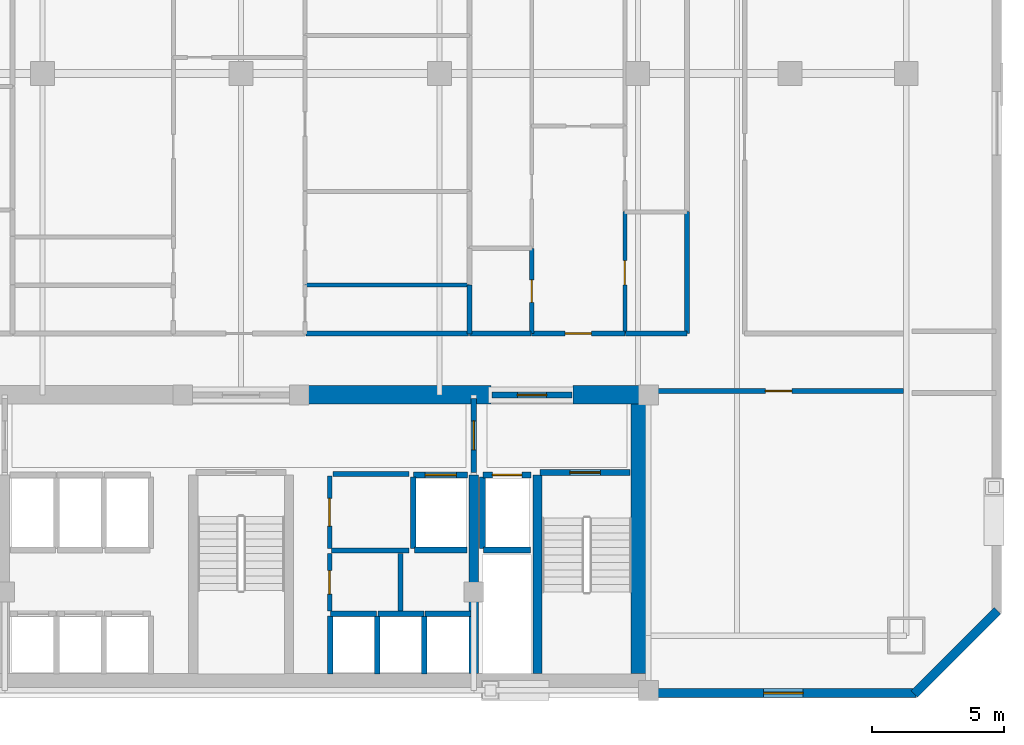
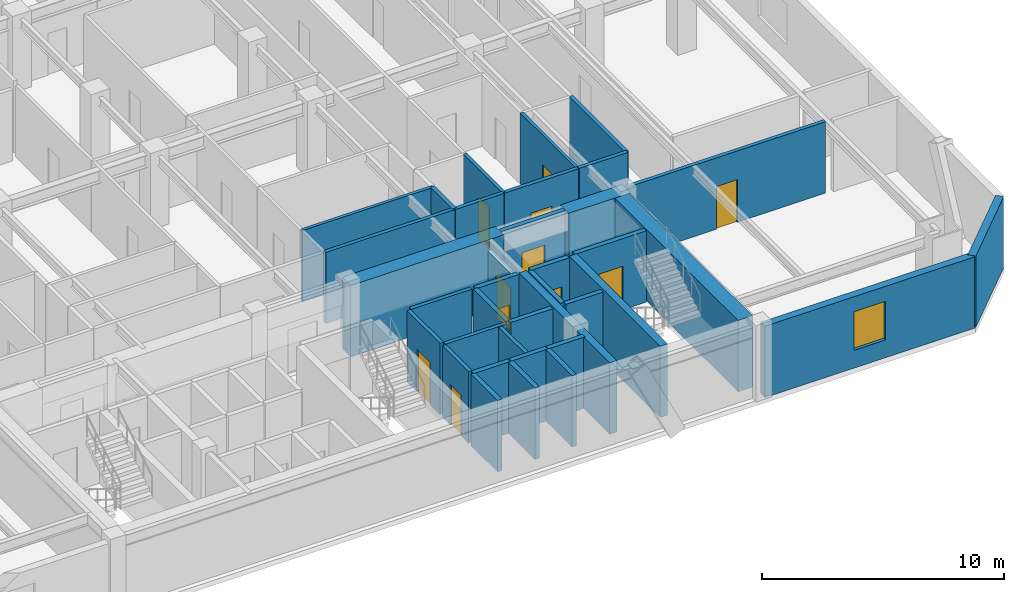
# One storey, part 5 of 9: 37 walls, 11 doors, 1 window, 12 openings.
"""IFC4 building model written with IfcOpenShell, lengths in metres."""

from ifc_helpers import new_model, si_unit, direction, frame, frame_2d, origin, place, context, subcontext, project, spatial, rectangle, extrude, material, layer, layer_set, type_object, element, fill, save


model = new_model("IFC4")

# Units and contexts
model_context = context("Model", 3, precision=1e-05, world=origin(), true_north=direction((0.0, 1.0)))
body_context = subcontext(model_context, "Body", "Model", "MODEL_VIEW")
ifc_project = project(units=[si_unit("LENGTHUNIT", "METRE"), si_unit("AREAUNIT", "SQUARE_METRE"), si_unit("VOLUMEUNIT", "CUBIC_METRE"), si_unit("PLANEANGLEUNIT", "RADIAN"), si_unit("MASSUNIT", "GRAM", prefix="KILO")], contexts=[model_context])

# Site, building, storey
site_placement = place(None, origin())
site = spatial("IfcSite", under=ifc_project, at=site_placement, CompositionType="ELEMENT")
building_placement = place(site_placement, origin())
building = spatial("IfcBuilding", under=site, at=building_placement, Name="Ventersveld Concourse Tower", CompositionType="ELEMENT")
storey_placement = place(building_placement, frame((0.0, 0.0, 68.300048828125)))
storey = spatial("IfcBuildingStorey", under=building, at=storey_placement, Name="L16", CompositionType="ELEMENT", Elevation=68.300048828125)

# Walls
ifc_material_1 = material(Name="Concrete C60/75", Category="concrete")
ifc_layer_1 = layer(ifc_material_1, 0.35009765625)
ifc_layer_set_1 = layer_set([ifc_layer_1], Name="Concrete C60/75")
wall_type_1 = type_object("IfcWallType", Name="WL-CORE-350L", PredefinedType="SHEAR", material=ifc_layer_set_1)
for number, where, z_axis, x_axis, name in (
    (1, (37.550048828125, 0.919921875, 0.0), (0.0, 0.0, 1.0), (0.0, 1.0, 0.0), "L16 Core Internal Shear Web W-SVL-W"),
    (2, (39.9599609375, 0.919921875, 0.0), (0.0, 0.0, 1.0), (0.0, 1.0, 0.0), "L16 Core Internal Shear Web W-ST2-W"),
):
    element("IfcWall", number, at=place(storey_placement, frame(where, z_axis=z_axis, x_axis=x_axis)), inside=storey, type_object=wall_type_1, Name=name, PredefinedType="SHEAR", context=body_context, shape_type="SweptSolid", body=[
        extrude(rectangle(XDim=7.5, YDim=0.35009765625, at=frame_2d((3.75, 0.0))), origin(), (0.0, 0.0, 1.0), 3.599853515625),
    ])
ifc_layer_2 = layer(ifc_material_1, 0.699951171875)
ifc_layer_set_2 = layer_set([ifc_layer_2], Name="Concrete C60/75")
wall_type_2 = type_object("IfcWallType", Name="WL-CORE-700", PredefinedType="SHEAR", material=ifc_layer_set_2)
wall_1_placement = place(storey_placement, frame((43.85009765625, 0.919921875, 0.0), z_axis=(0.0, 0.0, 1.0), x_axis=(0.0, 1.0, 0.0)))
element("IfcWall", 3, at=wall_1_placement, inside=storey, type_object=wall_type_2, Name="L16 Rear Core East Shear Wall", PredefinedType="SHEAR", context=body_context, shape_type="SweptSolid", body=[
    extrude(rectangle(XDim=10.530029296875, YDim=0.699951171875, at=frame_2d((5.26513671875, 0.0))), origin(), (0.0, 0.0, 1.0), 3.599853515625),
])
wall_2_placement = place(storey_placement, frame((30.89990234375, 11.449951171875, 0.0), z_axis=(0.0, 0.0, 1.0), x_axis=(1.0, 0.0, 0.0)))
element("IfcWall", 4, at=wall_2_placement, inside=storey, type_object=wall_type_2, Name="L16 Rear Core North Shear Wall NMR", PredefinedType="SHEAR", context=body_context, shape_type="SweptSolid", body=[
    extrude(rectangle(XDim=7.300048828125, YDim=0.699951171875, at=frame_2d((3.64990234375, 0.0))), origin(), (0.0, 0.0, 1.0), 3.599853515625),
])
wall_3_placement = place(storey_placement, frame((41.300048828125, 11.449951171875, 0.0), z_axis=(0.0, 0.0, 1.0), x_axis=(1.0, 0.0, 0.0)))
element("IfcWall", 5, at=wall_3_placement, inside=storey, type_object=wall_type_2, Name="L16 Rear Core North Shear Wall NE", PredefinedType="SHEAR", context=body_context, shape_type="SweptSolid", body=[
    extrude(rectangle(XDim=2.949951171875, YDim=0.699951171875, at=frame_2d((1.47509765625, 0.0))), origin(), (0.0, 0.0, 1.0), 3.599853515625),
])

# Wall, opening, door
ifc_material_2 = material(Name="Fire-rated autoclaved aerated masonry blockwork", Category="masonry")
ifc_layer_3 = layer(ifc_material_2, 0.179931640625)
ifc_layer_set_3 = layer_set([ifc_layer_3], Name="Fire-rated autoclaved aerated masonry blockwork")
wall_type_3 = type_object("IfcWallType", Name="WL-CORR-180", PredefinedType="PARTITIONING", material=ifc_layer_set_3)
wall_4_placement = place(storey_placement, frame((32.10009765625, 5.64990234375, 0.0), z_axis=(0.0, 0.0, 1.0), x_axis=(0.0, 1.0, 0.0)))
wall_4 = element("IfcWall", 6, at=wall_4_placement, inside=storey, type_object=wall_type_3, Name="L16 Core Passage Wall SP-L16-CBAY1", PredefinedType="PARTITIONING", context=body_context, shape_type="SweptSolid", body=[
    extrude(rectangle(XDim=2.72998046875, YDim=0.179931640625, at=frame_2d((1.364990234375, 0.0))), origin(), (0.0, 0.0, 1.0), 3.599853515625),
])
opening_1_placement = place(wall_4_placement, frame((0.840087890625, 0.0, 0.0)))
opening_1 = element("IfcOpeningElement", 7, at=opening_1_placement, cuts=wall_4, Name="Opening ID3", PredefinedType="OPENING", context=body_context, shape_type="SweptSolid", body=[
    extrude(rectangle(XDim=1.050048828125, YDim=2.14990234375, at=frame_2d((0.52490234375, 1.074951171875))), frame((0.0, 0.10009765625, 0.0), z_axis=(0.0, -1.0, 0.0), x_axis=(1.0, 0.0, 0.0)), (0.0, 0.0, 1.0), 0.199951171875),
])
ifc_material_3 = material(Name="Solid-core hardwood veneer timber", Category="wood")
door_type_1 = type_object("IfcDoorType", Name="DR-AWC-105", OperationType="NOTDEFINED", PredefinedType="DOOR", material=ifc_material_3)
door_1_placement = place(opening_1_placement, origin())
door_1 = element("IfcDoor", 8, at=door_1_placement, inside=storey, type_object=door_type_1, Name="L16 Core Room Door L16 Core Unisex Accessible WC (CD-L16-0723)", OperationType="SINGLE_SWING_RIGHT", OverallHeight=2.14990234375, OverallWidth=1.050048828125, PredefinedType="DOOR", context=body_context, shape_type="SweptSolid", body=[
    extrude(rectangle(XDim=1.050048828125, YDim=2.14990234375, at=frame_2d((0.52490234375, 1.074951171875))), frame((0.0, 0.02490234375, 0.0), z_axis=(0.0, -1.0, 0.0), x_axis=(1.0, 0.0, 0.0)), (0.0, 0.0, 1.0), 0.050048828125),
])
fill(opening_1, door_1)

# Walls
wall_5_placement = place(storey_placement, frame((32.219970703125, 8.4599609375, 0.0), z_axis=(0.0, 0.0, 1.0), x_axis=(1.0, 0.0, 0.0)))
element("IfcWall", 9, at=wall_5_placement, inside=storey, type_object=wall_type_3, Name="L16 Core Top Wall SP-L16-CBAY1", PredefinedType="PARTITIONING", context=body_context, shape_type="SweptSolid", body=[
    extrude(rectangle(XDim=2.880126953125, YDim=0.179931640625, at=frame_2d((1.43994140625, 0.0))), origin(), (0.0, 0.0, 1.0), 3.599853515625),
])
wall_6_placement = place(storey_placement, frame((32.179931640625, 5.570068359375, 0.0), z_axis=(0.0, 0.0, 1.0), x_axis=(1.0, 0.0, 0.0)))
element("IfcWall", 10, at=wall_6_placement, inside=storey, type_object=wall_type_3, Name="L16 Core Bot Wall SP-L16-CBAY1", PredefinedType="PARTITIONING", context=body_context, shape_type="SweptSolid", body=[
    extrude(rectangle(XDim=2.920166015625, YDim=0.179931640625, at=frame_2d((1.4599609375, 0.0))), origin(), (0.0, 0.0, 1.0), 3.599853515625),
])

# Wall, opening, door
wall_7_placement = place(storey_placement, frame((32.10009765625, 3.280029296875, 0.0), z_axis=(0.0, 0.0, 1.0), x_axis=(0.0, 1.0, 0.0)))
wall_7 = element("IfcWall", 11, at=wall_7_placement, inside=storey, type_object=wall_type_3, Name="L16 Core Passage Wall SP-L16-CBAY2", PredefinedType="PARTITIONING", context=body_context, shape_type="SweptSolid", body=[
    extrude(rectangle(XDim=2.169921875, YDim=0.179931640625, at=frame_2d((1.0849609375, 0.0))), origin(), (0.0, 0.0, 1.0), 3.599853515625),
])
opening_2_placement = place(wall_7_placement, frame((0.64501953125, 0.0, 0.0)))
opening_2 = element("IfcOpeningElement", 12, at=opening_2_placement, cuts=wall_7, Name="Opening FD5", PredefinedType="OPENING", context=body_context, shape_type="SweptSolid", body=[
    extrude(rectangle(XDim=0.8798828125, YDim=2.050048828125, at=frame_2d((0.43994140625, 1.02490234375))), frame((0.0, 0.10009765625, 0.0), z_axis=(0.0, -1.0, 0.0), x_axis=(1.0, 0.0, 0.0)), (0.0, 0.0, 1.0), 0.199951171875),
])
ifc_material_4 = material(Name="Galvanised painted steel", Category="steel")
door_type_2 = type_object("IfcDoorType", Name="DR-RISER-088", OperationType="NOTDEFINED", PredefinedType="DOOR", material=ifc_material_4)
door_2_placement = place(opening_2_placement, origin())
door_2 = element("IfcDoor", 13, at=door_2_placement, inside=storey, type_object=door_type_2, Name="L16 Core Room Door L16 Core Beverage Pantry (CD-L16-0724)", OperationType="SINGLE_SWING_LEFT", OverallHeight=2.050048828125, OverallWidth=0.8798828125, PredefinedType="DOOR", context=body_context, shape_type="SweptSolid", body=[
    extrude(rectangle(XDim=0.8798828125, YDim=2.050048828125, at=frame_2d((0.43994140625, 1.02490234375))), frame((0.0, 0.02490234375, 0.0), z_axis=(0.0, -1.0, 0.0), x_axis=(1.0, 0.0, 0.0)), (0.0, 0.0, 1.0), 0.050048828125),
])
fill(opening_2, door_2)

# Wall
wall_8_placement = place(storey_placement, frame((34.780029296875, 3.280029296875, 0.0), z_axis=(0.0, 0.0, 1.0), x_axis=(0.0, 1.0, 0.0)))
element("IfcWall", 14, at=wall_8_placement, inside=storey, type_object=wall_type_3, Name="L16 Core East Wall SP-L16-CBAY2", PredefinedType="PARTITIONING", context=body_context, shape_type="SweptSolid", body=[
    extrude(rectangle(XDim=2.169921875, YDim=0.179931640625, at=frame_2d((1.0849609375, 0.0))), origin(), (0.0, 0.0, 1.0), 3.599853515625),
])

# Wall, opening, door
wall_9_placement = place(storey_placement, frame((44.35498046875, 11.60009765625, 0.0), z_axis=(0.0, 0.0, 1.0), x_axis=(1.0, 0.0, 0.0)))
wall_9 = element("IfcWall", 15, at=wall_9_placement, inside=storey, type_object=wall_type_3, Name="L16 Interior Partition SP-L16-SE-OFF-SP-L16-COR", PredefinedType="PARTITIONING", context=body_context, shape_type="SweptSolid", body=[
    extrude(rectangle(XDim=9.43994140625, YDim=0.179931640625, at=frame_2d((4.719970703125, 0.0))), origin(), (0.0, 0.0, 1.0), 3.599853515625),
])
opening_3_placement = place(wall_9_placement, frame((4.219970703125, 0.0, 0.0)))
opening_3 = element("IfcOpeningElement", 16, at=opening_3_placement, cuts=wall_9, Name="Opening FD3", PredefinedType="OPENING", context=body_context, shape_type="SweptSolid", body=[
    extrude(rectangle(XDim=1.0, YDim=2.14990234375, at=frame_2d((0.5, 1.074951171875))), frame((0.0, 0.10009765625, 0.0), z_axis=(0.0, -1.0, 0.0), x_axis=(1.0, 0.0, 0.0)), (0.0, 0.0, 1.0), 0.199951171875),
])
door_type_3 = type_object("IfcDoorType", Name="DR-FLAT-100", OperationType="NOTDEFINED", PredefinedType="DOOR", material=ifc_material_3)
door_3_placement = place(opening_3_placement, origin())
door_3 = element("IfcDoor", 17, at=door_3_placement, inside=storey, type_object=door_type_3, Name="L16 Interior Door SP-L16-SE-OFF to SP-L16-COR (D-L16-0726)", OperationType="SINGLE_SWING_RIGHT", OverallHeight=2.14990234375, OverallWidth=1.0, PredefinedType="DOOR", context=body_context, shape_type="SweptSolid", body=[
    extrude(rectangle(XDim=1.0, YDim=2.14990234375, at=frame_2d((0.5, 1.074951171875))), frame((0.0, 0.02490234375, 0.0), z_axis=(0.0, -1.0, 0.0), x_axis=(1.0, 0.0, 0.0)), (0.0, 0.0, 1.0), 0.050048828125),
])
fill(opening_3, door_3)

wall_10_placement = place(storey_placement, frame((39.73583984375, 13.77001953125, 0.0), z_axis=(0.0, 0.0, 1.0), x_axis=(1.0, 0.0, 0.0)))
wall_10 = element("IfcWall", 18, at=wall_10_placement, inside=storey, type_object=wall_type_3, Name="L16 Interior Partition SP-L16-COR-SP-L16-16CE-FOY", PredefinedType="PARTITIONING", context=body_context, shape_type="SweptSolid", body=[
    extrude(rectangle(XDim=3.5283203125, YDim=0.179931640625, at=frame_2d((1.76416015625, 0.0))), origin(), (0.0, 0.0, 1.0), 3.599853515625),
])
opening_4_placement = place(wall_10_placement, frame((1.26416015625, 0.0, 0.0)))
opening_4 = element("IfcOpeningElement", 19, at=opening_4_placement, cuts=wall_10, Name="Opening FD3", PredefinedType="OPENING", context=body_context, shape_type="SweptSolid", body=[
    extrude(rectangle(XDim=1.0, YDim=2.14990234375, at=frame_2d((0.5, 1.074951171875))), frame((0.0, 0.10009765625, 0.0), z_axis=(0.0, -1.0, 0.0), x_axis=(1.0, 0.0, 0.0)), (0.0, 0.0, 1.0), 0.199951171875),
])
door_4_placement = place(opening_4_placement, origin())
door_4 = element("IfcDoor", 20, at=door_4_placement, inside=storey, type_object=door_type_3, Name="L16 Interior Door SP-L16-COR to SP-L16-16CE-FOY (FD-L16-0730)", OperationType="SINGLE_SWING_RIGHT", OverallHeight=2.14990234375, OverallWidth=1.0, PredefinedType="DOOR", context=body_context, shape_type="SweptSolid", body=[
    extrude(rectangle(XDim=1.0, YDim=2.14990234375, at=frame_2d((0.5, 1.074951171875))), frame((0.0, 0.02490234375, 0.0), z_axis=(0.0, -1.0, 0.0), x_axis=(1.0, 0.0, 0.0)), (0.0, 0.0, 1.0), 0.050048828125),
])
fill(opening_4, door_4)

# Walls
wall_11_placement = place(storey_placement, frame((37.385009765625, 13.77001953125, 0.0), z_axis=(0.0, 0.0, 1.0), x_axis=(1.0, 0.0, 0.0)))
element("IfcWall", 21, at=wall_11_placement, inside=storey, type_object=wall_type_3, Name="L16 Interior Partition SP-L16-COR-SP-L16-16CE-BATH", PredefinedType="PARTITIONING", context=body_context, shape_type="SweptSolid", body=[
    extrude(rectangle(XDim=2.32080078125, YDim=0.179931640625, at=frame_2d((1.160400390625, 0.0))), origin(), (0.0, 0.0, 1.0), 3.599853515625),
])
wall_12_placement = place(storey_placement, frame((45.610107421875, 13.764892578125, 0.0), z_axis=(0.0, 0.0, 1.0), x_axis=(0.0, 1.0, 0.0)))
element("IfcWall", 22, at=wall_12_placement, inside=storey, type_object=wall_type_3, Name="L16 Interior Partition SP-L16-COR-SP-L16-16CE-KIT", PredefinedType="PARTITIONING", context=body_context, shape_type="SweptSolid", body=[
    extrude(rectangle(XDim=4.6123046875, YDim=0.179931640625, at=frame_2d((2.30615234375, 0.0))), origin(), (0.0, 0.0, 1.0), 3.599853515625),
])
wall_13_placement = place(storey_placement, frame((43.294189453125, 13.77001953125, 0.0), z_axis=(0.0, 0.0, 1.0), x_axis=(1.0, 0.0, 0.0)))
element("IfcWall", 23, at=wall_13_placement, inside=storey, type_object=wall_type_3, Name="L16 Interior Partition SP-L16-COR-SP-L16-16CE-KIT", PredefinedType="PARTITIONING", context=body_context, shape_type="SweptSolid", body=[
    extrude(rectangle(XDim=2.32080078125, YDim=0.179931640625, at=frame_2d((1.160400390625, 0.0))), origin(), (0.0, 0.0, 1.0), 3.599853515625),
])
wall_14_placement = place(storey_placement, frame((31.203857421875, 13.77001953125, 0.0), z_axis=(0.0, 0.0, 1.0), x_axis=(1.0, 0.0, 0.0)))
element("IfcWall", 24, at=wall_14_placement, inside=storey, type_object=wall_type_3, Name="L16 Interior Partition SP-L16-COR-SP-L16-16CM-KIT", PredefinedType="PARTITIONING", context=body_context, shape_type="SweptSolid", body=[
    extrude(rectangle(XDim=6.151123046875, YDim=0.179931640625, at=frame_2d((3.07568359375, 0.0))), origin(), (0.0, 0.0, 1.0), 3.599853515625),
])
ifc_layer_4 = layer(ifc_material_2, 0.199951171875)
ifc_layer_set_4 = layer_set([ifc_layer_4], Name="Fire-rated autoclaved aerated masonry blockwork")
wall_type_4 = type_object("IfcWallType", Name="WL-DEMISE-200", PredefinedType="PARTITIONING", material=ifc_layer_set_4)
wall_15_placement = place(storey_placement, frame((37.389892578125, 13.764892578125, 0.0), z_axis=(0.0, 0.0, 1.0), x_axis=(0.0, 1.0, 0.0)))
element("IfcWall", 25, at=wall_15_placement, inside=storey, type_object=wall_type_4, Name="L16 Interior Partition SP-L16-16CE-BATH-SP-L16-16CM-KIT", PredefinedType="PARTITIONING", context=body_context, shape_type="SweptSolid", body=[
    extrude(rectangle(XDim=1.840087890625, YDim=0.199951171875, at=frame_2d((0.919921875, 0.0))), origin(), (0.0, 0.0, 1.0), 3.599853515625),
])
ifc_layer_5 = layer(ifc_material_2, 0.219970703125)
ifc_layer_set_5 = layer_set([ifc_layer_5], Name="Fire-rated autoclaved aerated masonry blockwork")
wall_type_5 = type_object("IfcWallType", Name="WL-HOIST-220", PredefinedType="SOLIDWALL", material=ifc_layer_set_5)
wall_16_placement = place(storey_placement, frame((37.919921875, 5.590087890625, 0.0), z_axis=(0.0, 0.0, 1.0), x_axis=(1.0, 0.0, 0.0)))
element("IfcWall", 26, at=wall_16_placement, inside=storey, type_object=wall_type_5, Name="L16 Lift Hoistway Back Wall FFL-02", PredefinedType="SOLIDWALL", context=body_context, shape_type="SweptSolid", body=[
    extrude(rectangle(XDim=1.780029296875, YDim=0.219970703125, at=frame_2d((0.89013671875, 0.0))), origin(), (0.0, 0.0, 1.0), 3.599853515625),
])
wall_17_placement = place(storey_placement, frame((37.8798828125, 5.64990234375, 0.0), z_axis=(0.0, 0.0, 1.0), x_axis=(0.0, 1.0, 0.0)))
element("IfcWall", 27, at=wall_17_placement, inside=storey, type_object=wall_type_5, Name="L16 Lift Hoistway Side Wall FFL-02W", PredefinedType="SOLIDWALL", context=body_context, shape_type="SweptSolid", body=[
    extrude(rectangle(XDim=2.7001953125, YDim=0.219970703125, at=frame_2d((1.35009765625, 0.0))), origin(), (0.0, 0.0, 1.0), 3.599853515625),
])

# Wall, opening, door
wall_18_placement = place(storey_placement, frame((37.89990234375, 8.429931640625, 0.0), z_axis=(0.0, 0.0, 1.0), x_axis=(1.0, 0.0, 0.0)))
wall_18 = element("IfcWall", 28, at=wall_18_placement, inside=storey, type_object=wall_type_5, Name="L16 Lift Hoistway Front Wall FFL-02", PredefinedType="SOLIDWALL", context=body_context, shape_type="SweptSolid", body=[
    extrude(rectangle(XDim=1.820068359375, YDim=0.219970703125, at=frame_2d((0.91015625, 0.0))), origin(), (0.0, 0.0, 1.0), 3.599853515625),
])
opening_5_placement = place(wall_18_placement, frame((0.35009765625, 0.0, 0.0)))
opening_5 = element("IfcOpeningElement", 29, at=opening_5_placement, cuts=wall_18, Name="Opening LD1", PredefinedType="OPENING", context=body_context, shape_type="SweptSolid", body=[
    extrude(rectangle(XDim=1.1201171875, YDim=2.25, at=frame_2d((0.56005859375, 1.125))), frame((0.0, 0.1201171875, 0.0), z_axis=(0.0, -1.0, 0.0), x_axis=(1.0, 0.0, 0.0)), (0.0, 0.0, 1.0), 0.239990234375),
])
ifc_material_5 = material(Name="Brushed stainless steel 316", Category="steel")
door_type_4 = type_object("IfcDoorType", Name="LD-FF-112", OperationType="SLIDING_TO_LEFT", PredefinedType="DOOR", material=ifc_material_5)
door_5_placement = place(opening_5_placement, origin())
door_5 = element("IfcDoor", 30, at=door_5_placement, inside=storey, type_object=door_type_4, Name="L16 Lift landing door FFL-02 (LD-L16-FFL-02)", OperationType="SLIDING_TO_RIGHT", OverallHeight=2.25, OverallWidth=1.1201171875, PredefinedType="DOOR", context=body_context, shape_type="SweptSolid", body=[
    extrude(rectangle(XDim=1.1201171875, YDim=2.25, at=frame_2d((0.56005859375, 1.125))), frame((0.0, 0.02490234375, 0.0), z_axis=(0.0, -1.0, 0.0), x_axis=(1.0, 0.0, 0.0)), (0.0, 0.0, 1.0), 0.050048828125),
])
fill(opening_5, door_5)

# Walls
wall_19_placement = place(storey_placement, frame((35.300048828125, 5.590087890625, 0.0), z_axis=(0.0, 0.0, 1.0), x_axis=(1.0, 0.0, 0.0)))
element("IfcWall", 31, at=wall_19_placement, inside=storey, type_object=wall_type_5, Name="L16 Lift Hoistway Back Wall SVL-01", PredefinedType="SOLIDWALL", context=body_context, shape_type="SweptSolid", body=[
    extrude(rectangle(XDim=2.0, YDim=0.219970703125, at=frame_2d((1.0, 0.0))), origin(), (0.0, 0.0, 1.0), 3.599853515625),
])
wall_20_placement = place(storey_placement, frame((35.260009765625, 5.64990234375, 0.0), z_axis=(0.0, 0.0, 1.0), x_axis=(0.0, 1.0, 0.0)))
element("IfcWall", 32, at=wall_20_placement, inside=storey, type_object=wall_type_5, Name="L16 Lift Hoistway Side Wall SVL-01W", PredefinedType="SOLIDWALL", context=body_context, shape_type="SweptSolid", body=[
    extrude(rectangle(XDim=2.7001953125, YDim=0.219970703125, at=frame_2d((1.35009765625, 0.0))), origin(), (0.0, 0.0, 1.0), 3.599853515625),
])

# Wall, opening, door
wall_21_placement = place(storey_placement, frame((35.280029296875, 8.429931640625, 0.0), z_axis=(0.0, 0.0, 1.0), x_axis=(1.0, 0.0, 0.0)))
wall_21 = element("IfcWall", 33, at=wall_21_placement, inside=storey, type_object=wall_type_5, Name="L16 Lift Hoistway Front Wall SVL-01", PredefinedType="SOLIDWALL", context=body_context, shape_type="SweptSolid", body=[
    extrude(rectangle(XDim=2.0400390625, YDim=0.219970703125, at=frame_2d((1.02001953125, 0.0))), origin(), (0.0, 0.0, 1.0), 3.599853515625),
])
opening_6_placement = place(wall_21_placement, frame((0.429931640625, 0.0, 0.0)))
opening_6 = element("IfcOpeningElement", 34, at=opening_6_placement, cuts=wall_21, Name="Opening LD2", PredefinedType="OPENING", context=body_context, shape_type="SweptSolid", body=[
    extrude(rectangle(XDim=1.179931640625, YDim=2.199951171875, at=frame_2d((0.58984375, 1.10009765625))), frame((0.0, 0.1201171875, 0.0), z_axis=(0.0, -1.0, 0.0), x_axis=(1.0, 0.0, 0.0)), (0.0, 0.0, 1.0), 0.239990234375),
])
door_type_5 = type_object("IfcDoorType", Name="LD-PAX-118", OperationType="SLIDING_TO_LEFT", PredefinedType="DOOR", material=ifc_material_5)
door_6_placement = place(opening_6_placement, origin())
door_6 = element("IfcDoor", 35, at=door_6_placement, inside=storey, type_object=door_type_5, Name="L16 Lift landing door SVL-01 (LD-L16-SVL-01)", OperationType="SLIDING_TO_LEFT", OverallHeight=2.199951171875, OverallWidth=1.179931640625, PredefinedType="DOOR", context=body_context, shape_type="SweptSolid", body=[
    extrude(rectangle(XDim=1.179931640625, YDim=2.199951171875, at=frame_2d((0.58984375, 1.10009765625))), frame((0.0, 0.02490234375, 0.0), z_axis=(0.0, -1.0, 0.0), x_axis=(1.0, 0.0, 0.0)), (0.0, 0.0, 1.0), 0.050048828125),
])
fill(opening_6, door_6)

# Walls
for number, where, z_axis, x_axis, name in (
    (36, (32.1201171875, 0.89990234375, 0.0), (0.0, 0.0, 1.0), (0.0, 1.0, 0.0), "L16 Lift Hoistway Side Wall PM-01W"),
    (37, (33.89990234375, 0.89990234375, 0.0), (0.0, 0.0, 1.0), (0.0, 1.0, 0.0), "L16 Lift Hoistway Side Wall PM-01E"),
):
    element("IfcWall", number, at=place(storey_placement, frame(where, z_axis=z_axis, x_axis=x_axis)), inside=storey, type_object=wall_type_5, Name=name, PredefinedType="SOLIDWALL", context=body_context, shape_type="SweptSolid", body=[
        extrude(rectangle(XDim=2.2001953125, YDim=0.219970703125, at=frame_2d((1.10009765625, 0.0))), origin(), (0.0, 0.0, 1.0), 3.599853515625),
    ])
wall_22_placement = place(storey_placement, frame((32.139892578125, 3.179931640625, 0.0), z_axis=(0.0, 0.0, 1.0), x_axis=(1.0, 0.0, 0.0)))
element("IfcWall", 38, at=wall_22_placement, inside=storey, type_object=wall_type_5, Name="L16 Lift Hoistway Front Wall PM-01", PredefinedType="SOLIDWALL", context=body_context, shape_type="SweptSolid", body=[
    extrude(rectangle(XDim=1.739990234375, YDim=0.219970703125, at=frame_2d((0.8701171875, 0.0))), origin(), (0.0, 0.0, 1.0), 3.599853515625),
])
wall_23_placement = place(storey_placement, frame((35.679931640625, 0.89990234375, 0.0), z_axis=(0.0, 0.0, 1.0), x_axis=(0.0, 1.0, 0.0)))
element("IfcWall", 39, at=wall_23_placement, inside=storey, type_object=wall_type_5, Name="L16 Lift Hoistway Side Wall PM-02E", PredefinedType="SOLIDWALL", context=body_context, shape_type="SweptSolid", body=[
    extrude(rectangle(XDim=2.2001953125, YDim=0.219970703125, at=frame_2d((1.10009765625, 0.0))), origin(), (0.0, 0.0, 1.0), 3.599853515625),
])
for number, where, z_axis, x_axis, name in (
    (40, (33.919921875, 3.179931640625, 0.0), (0.0, 0.0, 1.0), (1.0, 0.0, 0.0), "L16 Lift Hoistway Front Wall PM-02"),
    (41, (35.699951171875, 3.179931640625, 0.0), (0.0, 0.0, 1.0), (1.0, 0.0, 0.0), "L16 Lift Hoistway Front Wall PM-03"),
):
    element("IfcWall", number, at=place(storey_placement, frame(where, z_axis=z_axis, x_axis=x_axis)), inside=storey, type_object=wall_type_5, Name=name, PredefinedType="SOLIDWALL", context=body_context, shape_type="SweptSolid", body=[
        extrude(rectangle(XDim=1.739990234375, YDim=0.219970703125, at=frame_2d((0.8701171875, 0.0))), origin(), (0.0, 0.0, 1.0), 3.599853515625),
    ])

# Wall, opening, door
wall_24_placement = place(storey_placement, frame((40.06005859375, 8.52001953125, 0.0), z_axis=(0.0, 0.0, 1.0), x_axis=(1.0, 0.0, 0.0)))
wall_24 = element("IfcWall", 42, at=wall_24_placement, inside=storey, type_object=wall_type_5, Name="L16 Escape Stair ST02 Fire Wall", PredefinedType="SOLIDWALL", context=body_context, shape_type="SweptSolid", body=[
    extrude(rectangle(XDim=3.39990234375, YDim=0.219970703125, at=frame_2d((1.699951171875, 0.0))), origin(), (0.0, 0.0, 1.0), 3.599853515625),
])
opening_7_placement = place(wall_24_placement, frame((1.125, 0.0, 0.0)))
opening_7 = element("IfcOpeningElement", 43, at=opening_7_placement, cuts=wall_24, Name="Opening FD1", PredefinedType="OPENING", context=body_context, shape_type="SweptSolid", body=[
    extrude(rectangle(XDim=1.14990234375, YDim=2.199951171875, at=frame_2d((0.574951171875, 1.10009765625))), frame((0.0, 0.1201171875, 0.0), z_axis=(0.0, -1.0, 0.0), x_axis=(1.0, 0.0, 0.0)), (0.0, 0.0, 1.0), 0.239990234375),
])
door_type_6 = type_object("IfcDoorType", Name="DR-STAIR-115", OperationType="NOTDEFINED", PredefinedType="DOOR", material=ifc_material_4)
door_7_placement = place(opening_7_placement, origin())
door_7 = element("IfcDoor", 44, at=door_7_placement, inside=storey, type_object=door_type_6, Name="L16 Escape Stair Door ST02 (SD-L16-0716)", OperationType="SINGLE_SWING_RIGHT", OverallHeight=2.199951171875, OverallWidth=1.14990234375, PredefinedType="DOOR", context=body_context, shape_type="SweptSolid", body=[
    extrude(rectangle(XDim=1.14990234375, YDim=2.199951171875, at=frame_2d((0.574951171875, 1.10009765625))), frame((0.0, 0.02490234375, 0.0), z_axis=(0.0, -1.0, 0.0), x_axis=(1.0, 0.0, 0.0)), (0.0, 0.0, 1.0), 0.050048828125),
])
fill(opening_7, door_7)

wall_25_placement = place(storey_placement, frame((37.550048828125, 8.52001953125, 0.0), z_axis=(0.0, 0.0, 1.0), x_axis=(0.0, 1.0, 0.0)))
wall_25 = element("IfcWall", 45, at=wall_25_placement, inside=storey, type_object=wall_type_5, Name="L16 Firefighting Lobby Smoke-Stop Wall FFLE-SEP", PredefinedType="SOLIDWALL", context=body_context, shape_type="SweptSolid", body=[
    extrude(rectangle(XDim=2.800048828125, YDim=0.219970703125, at=frame_2d((1.39990234375, 0.0))), origin(), (0.0, 0.0, 1.0), 3.055419921875),
])
opening_8_placement = place(wall_25_placement, frame((0.85009765625, 0.0, 0.0)))
opening_8 = element("IfcOpeningElement", 46, at=opening_8_placement, cuts=wall_25, Name="Opening FD2", PredefinedType="OPENING", context=body_context, shape_type="SweptSolid", body=[
    extrude(rectangle(XDim=1.10009765625, YDim=2.199951171875, at=frame_2d((0.550048828125, 1.10009765625))), frame((0.0, 0.1201171875, 0.0), z_axis=(0.0, -1.0, 0.0), x_axis=(1.0, 0.0, 0.0)), (0.0, 0.0, 1.0), 0.239990234375),
])
door_type_7 = type_object("IfcDoorType", Name="DR-FFL-110", OperationType="NOTDEFINED", PredefinedType="DOOR", material=ifc_material_4)
door_8_placement = place(opening_8_placement, origin())
door_8 = element("IfcDoor", 47, at=door_8_placement, inside=storey, type_object=door_type_7, Name="L16 Firefighting Lobby Door FFLE-SEP (FD-L16-0719)", OperationType="SINGLE_SWING_RIGHT", OverallHeight=2.199951171875, OverallWidth=1.10009765625, PredefinedType="DOOR", context=body_context, shape_type="SweptSolid", body=[
    extrude(rectangle(XDim=1.10009765625, YDim=2.199951171875, at=frame_2d((0.550048828125, 1.10009765625))), frame((0.0, 0.02490234375, 0.0), z_axis=(0.0, -1.0, 0.0), x_axis=(1.0, 0.0, 0.0)), (0.0, 0.0, 1.0), 0.050048828125),
])
fill(opening_8, door_8)

wall_26_placement = place(storey_placement, frame((38.22998046875, 11.449951171875, 0.0), z_axis=(0.0, 0.0, 1.0), x_axis=(1.0, 0.0, 0.0)))
wall_26 = element("IfcWall", 48, at=wall_26_placement, inside=storey, type_object=wall_type_5, Name="L16 Core North Fire Portal FFLE-OUT", PredefinedType="SOLIDWALL", context=body_context, shape_type="SweptSolid", body=[
    extrude(rectangle(XDim=3.0400390625, YDim=0.219970703125, at=frame_2d((1.52001953125, 0.0))), origin(), (0.0, 0.0, 1.0), 3.599853515625),
])
opening_9_placement = place(wall_26_placement, frame((0.969970703125, 0.0, 0.0)))
opening_9 = element("IfcOpeningElement", 49, at=opening_9_placement, cuts=wall_26, Name="Opening FD2", PredefinedType="OPENING", context=body_context, shape_type="SweptSolid", body=[
    extrude(rectangle(XDim=1.10009765625, YDim=2.199951171875, at=frame_2d((0.550048828125, 1.10009765625))), frame((0.0, 0.1201171875, 0.0), z_axis=(0.0, -1.0, 0.0), x_axis=(1.0, 0.0, 0.0)), (0.0, 0.0, 1.0), 0.239990234375),
])
door_9_placement = place(opening_9_placement, origin())
door_9 = element("IfcDoor", 50, at=door_9_placement, inside=storey, type_object=door_type_7, Name="L16 Core Lobby Fire Door FFLE-OUT (FD-L16-0722)", OperationType="SINGLE_SWING_LEFT", OverallHeight=2.199951171875, OverallWidth=1.10009765625, PredefinedType="DOOR", context=body_context, shape_type="SweptSolid", body=[
    extrude(rectangle(XDim=1.10009765625, YDim=2.199951171875, at=frame_2d((0.550048828125, 1.10009765625))), frame((0.0, 0.02490234375, 0.0), z_axis=(0.0, -1.0, 0.0), x_axis=(1.0, 0.0, 0.0)), (0.0, 0.0, 1.0), 0.050048828125),
])
fill(opening_9, door_9)

ifc_material_6 = material(Name="Autoclaved aerated masonry blockwork", Category="masonry")
ifc_layer_6 = layer(ifc_material_6, 0.14990234375)
ifc_layer_set_6 = layer_set([ifc_layer_6], Name="Autoclaved aerated masonry blockwork")
wall_type_6 = type_object("IfcWallType", Name="WL-INT-150", PredefinedType="PARTITIONING", material=ifc_layer_set_6)
wall_27_placement = place(storey_placement, frame((43.25927734375, 13.764892578125, 0.0), z_axis=(0.0, 0.0, 1.0), x_axis=(0.0, 1.0, 0.0)))
wall_27 = element("IfcWall", 51, at=wall_27_placement, inside=storey, type_object=wall_type_6, Name="L16 Interior Partition SP-L16-16CE-FOY-SP-L16-16CE-KIT", PredefinedType="PARTITIONING", context=body_context, shape_type="SweptSolid", body=[
    extrude(rectangle(XDim=4.6123046875, YDim=0.14990234375, at=frame_2d((2.30615234375, 0.0))), origin(), (0.0, 0.0, 1.0), 3.599853515625),
])
opening_10_placement = place(wall_27_placement, frame((1.84619140625, 0.0, 0.0)))
opening_10 = element("IfcOpeningElement", 52, at=opening_10_placement, cuts=wall_27, Name="Opening ID1", PredefinedType="OPENING", context=body_context, shape_type="SweptSolid", body=[
    extrude(rectangle(XDim=0.919921875, YDim=2.10009765625, at=frame_2d((0.4599609375, 1.050048828125))), frame((0.0, 0.0849609375, 0.0), z_axis=(0.0, -1.0, 0.0), x_axis=(1.0, 0.0, 0.0)), (0.0, 0.0, 1.0), 0.169921875),
])
door_type_8 = type_object("IfcDoorType", Name="DR-ROOM-092", OperationType="NOTDEFINED", PredefinedType="DOOR", material=ifc_material_3)
door_10_placement = place(opening_10_placement, origin())
door_10 = element("IfcDoor", 53, at=door_10_placement, inside=storey, type_object=door_type_8, Name="L16 Interior Door SP-L16-16CE-FOY to SP-L16-16CE-KIT (D-L16-0748)", OperationType="SINGLE_SWING_RIGHT", OverallHeight=2.10009765625, OverallWidth=0.919921875, PredefinedType="DOOR", context=body_context, shape_type="SweptSolid", body=[
    extrude(rectangle(XDim=0.919921875, YDim=2.10009765625, at=frame_2d((0.4599609375, 1.050048828125))), frame((0.0, 0.02490234375, 0.0), z_axis=(0.0, -1.0, 0.0), x_axis=(1.0, 0.0, 0.0)), (0.0, 0.0, 1.0), 0.050048828125),
])
fill(opening_10, door_10)

# Wall
wall_28_placement = place(storey_placement, frame((31.163818359375, 15.60009765625, 0.0), z_axis=(0.0, 0.0, 1.0), x_axis=(1.0, 0.0, 0.0)))
element("IfcWall", 54, at=wall_28_placement, inside=storey, type_object=wall_type_6, Name="L16 Interior Partition SP-L16-16CM-KIT-SP-L16-16CM-SEMR1", PredefinedType="PARTITIONING", context=body_context, shape_type="SweptSolid", body=[
    extrude(rectangle(XDim=6.231201171875, YDim=0.14990234375, at=frame_2d((3.11572265625, 0.0))), origin(), (0.0, 0.0, 1.0), 3.599853515625),
])

# Wall, opening, window
ifc_material_7 = material(Name="Precast concrete C45/55", Category="concrete")
ifc_layer_7 = layer(ifc_material_7, 0.35009765625)
ifc_layer_set_7 = layer_set([ifc_layer_7], Name="Precast concrete C45/55")
wall_type_7 = type_object("IfcWallType", Name="WL-PREC-350", PredefinedType="SOLIDWALL", material=ifc_layer_set_7)
wall_29_placement = place(storey_placement, frame((44.25, 0.179931640625, 0.0), z_axis=(0.0, 0.0, 1.0), x_axis=(1.0, 0.0, 0.0)))
wall_29 = element("IfcWall", 55, at=wall_29_placement, inside=storey, type_object=wall_type_7, Name="L16 South-East Flank Precast Wall", PredefinedType="SOLIDWALL", context=body_context, shape_type="SweptSolid", body=[
    extrude(rectangle(XDim=10.010009765625, YDim=0.35009765625, at=frame_2d((5.0048828125, 0.0))), origin(), (0.0, 0.0, 1.0), 3.599853515625),
])
opening_11_placement = place(wall_29_placement, frame((4.2548828125, 0.0, 0.89990234375)))
opening_11 = element("IfcOpeningElement", 56, at=opening_11_placement, cuts=wall_29, Name="Opening W1", PredefinedType="OPENING", context=body_context, shape_type="SweptSolid", body=[
    extrude(rectangle(XDim=1.5, YDim=1.949951171875, at=frame_2d((0.75, 0.97509765625))), frame((0.0, 0.18505859375, 0.0), z_axis=(0.0, -1.0, 0.0), x_axis=(1.0, 0.0, 0.0)), (0.0, 0.0, 1.0), 0.3701171875),
])
ifc_material_8 = material(Name="Tempered acoustic Low-E IGU", Category="glass")
window_type = type_object("IfcWindowType", Name="WIN-150x210", PartitioningType="SINGLE_PANEL", PredefinedType="WINDOW", material=ifc_material_8)
window_placement = place(opening_11_placement, origin())
window = element("IfcWindow", 57, at=window_placement, inside=storey, type_object=window_type, Name="L16 Punched Low-E Window W-0145", OverallHeight=1.949951171875, OverallWidth=1.5, PartitioningType="SINGLE_PANEL", PredefinedType="WINDOW", context=body_context, shape_type="SweptSolid", body=[
    extrude(rectangle(XDim=1.5, YDim=1.949951171875, at=frame_2d((0.75, 0.97509765625))), frame((0.0, 0.030029296875, 0.0), z_axis=(0.0, -1.0, 0.0), x_axis=(1.0, 0.0, 0.0)), (0.0, 0.0, 1.0), 0.06005859375),
])
fill(opening_11, window)

# Wall
wall_30_placement = place(storey_placement, frame((54.20458984375, 0.152099609375, 0.0), z_axis=(0.0, 0.0, 1.0), x_axis=(0.707106781187, 0.707106781187, 0.0)))
element("IfcWall", 58, at=wall_30_placement, inside=storey, type_object=wall_type_7, Name="L16 Highveld Precast Facade Wall E02", PredefinedType="SOLIDWALL", context=body_context, shape_type="SweptSolid", body=[
    extrude(rectangle(XDim=4.4453125, YDim=0.35009765625, at=frame_2d((2.22265625, 0.0))), origin(), (0.0, 0.0, 1.0), 3.599853515625),
])

# Wall, opening, door
ifc_layer_8 = layer(ifc_material_6, 0.1650390625)
ifc_layer_set_8 = layer_set([ifc_layer_8], Name="Autoclaved aerated masonry blockwork")
wall_type_8 = type_object("IfcWallType", Name="WL-WET-165", PredefinedType="PLUMBINGWALL", material=ifc_layer_set_8)
wall_31_placement = place(storey_placement, frame((39.74072265625, 13.764892578125, 0.0), z_axis=(0.0, 0.0, 1.0), x_axis=(0.0, 1.0, 0.0)))
wall_31 = element("IfcWall", 59, at=wall_31_placement, inside=storey, type_object=wall_type_8, Name="L16 Interior Partition SP-L16-16CE-FOY-SP-L16-16CE-BATH", PredefinedType="PLUMBINGWALL", context=body_context, shape_type="SweptSolid", body=[
    extrude(rectangle(XDim=3.23046875, YDim=0.1650390625, at=frame_2d((1.615234375, 0.0))), origin(), (0.0, 0.0, 1.0), 3.599853515625),
])
opening_12_placement = place(wall_31_placement, frame((1.190185546875, 0.0, 0.0)))
opening_12 = element("IfcOpeningElement", 60, at=opening_12_placement, cuts=wall_31, Name="Opening ID2", PredefinedType="OPENING", context=body_context, shape_type="SweptSolid", body=[
    extrude(rectangle(XDim=0.85009765625, YDim=2.10009765625, at=frame_2d((0.425048828125, 1.050048828125))), frame((0.0, 0.092529296875, 0.0), z_axis=(0.0, -1.0, 0.0), x_axis=(1.0, 0.0, 0.0)), (0.0, 0.0, 1.0), 0.18505859375),
])
door_type_9 = type_object("IfcDoorType", Name="DR-BATH-085", OperationType="NOTDEFINED", PredefinedType="DOOR", material=ifc_material_3)
door_11_placement = place(opening_12_placement, origin())
door_11 = element("IfcDoor", 61, at=door_11_placement, inside=storey, type_object=door_type_9, Name="L16 Interior Door SP-L16-16CE-FOY to SP-L16-16CE-BATH (D-L16-0746)", OperationType="SINGLE_SWING_RIGHT", OverallHeight=2.10009765625, OverallWidth=0.85009765625, PredefinedType="DOOR", context=body_context, shape_type="SweptSolid", body=[
    extrude(rectangle(XDim=0.85009765625, YDim=2.10009765625, at=frame_2d((0.425048828125, 1.050048828125))), frame((0.0, 0.02490234375, 0.0), z_axis=(0.0, -1.0, 0.0), x_axis=(1.0, 0.0, 0.0)), (0.0, 0.0, 1.0), 0.050048828125),
])
fill(opening_12, door_11)

save(model, "model.ifc")
